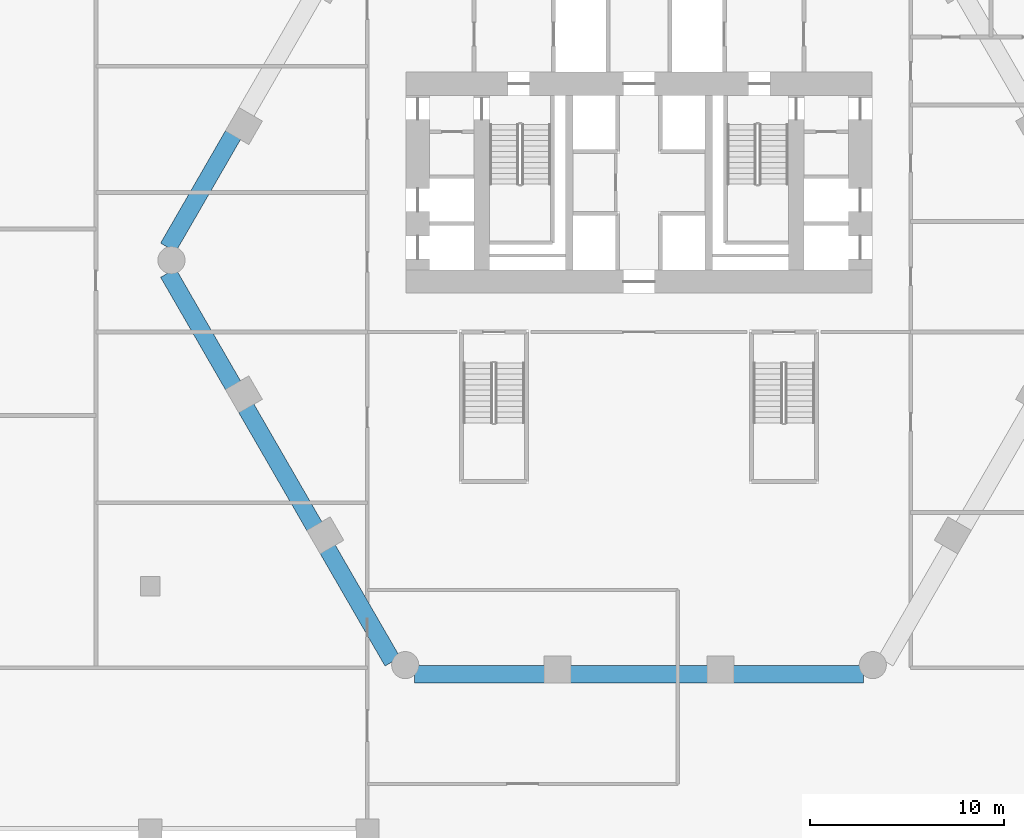
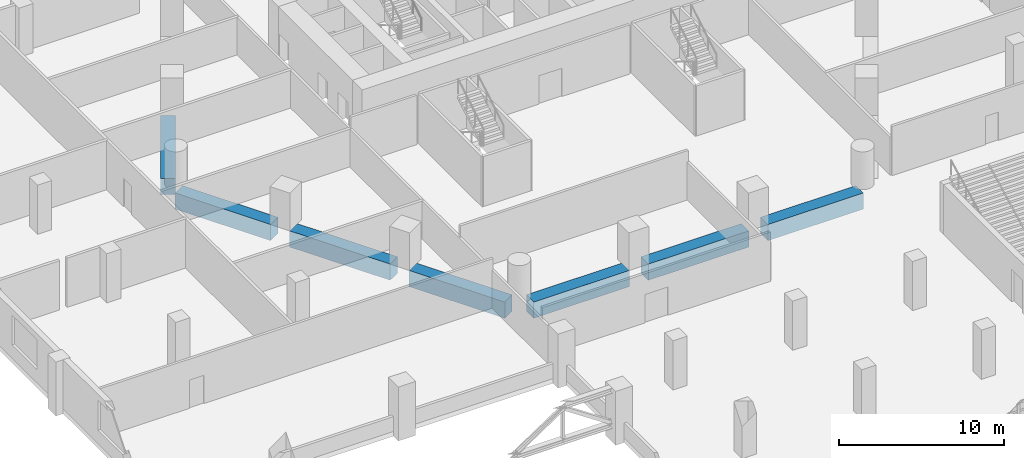
# One storey, part 9 of 24: 7 beams.
"""IFC4 building model written with IfcOpenShell, lengths in metres."""

from ifc_helpers import new_model, si_unit, direction, frame, origin, origin_2d, place, context, subcontext, project, spatial, rectangle, extrude, material, material_profile, profile_set, type_object, element, save


model = new_model("IFC4")

# Units and contexts
model_context = context("Model", 3, precision=1e-05, world=origin(), true_north=direction((0.0, 1.0)))
body_context = subcontext(model_context, "Body", "Model", "MODEL_VIEW")
ifc_project = project(units=[si_unit("LENGTHUNIT", "METRE"), si_unit("AREAUNIT", "SQUARE_METRE"), si_unit("VOLUMEUNIT", "CUBIC_METRE"), si_unit("PLANEANGLEUNIT", "RADIAN"), si_unit("MASSUNIT", "GRAM", prefix="KILO")], contexts=[model_context])

# Site, building, storey
site_placement = place(None, origin())
site = spatial("IfcSite", under=ifc_project, at=site_placement, CompositionType="ELEMENT")
building_placement = place(site_placement, origin())
building = spatial("IfcBuilding", under=site, at=building_placement, Name="Ostrander Bayou Hotel Tower", CompositionType="ELEMENT")
storey_placement = place(building_placement, frame((0.0, 0.0, 6.0)))
storey = spatial("IfcBuildingStorey", under=building, at=storey_placement, Name="L01", CompositionType="ELEMENT", Elevation=6.0)

# Beams
ifc_material = material(Name="Concrete f'c 70 MPa", Category="concrete")
ifc_material_profile = material_profile(ifc_material, rectangle(XDim=0.89990234375, YDim=1.199951171875, at=origin_2d()))
ifc_profile_set = profile_set([ifc_material_profile], Name="Concrete f'c 70 MPa")
beam_type = type_object("IfcBeamType", Name="SP1 spandrel beam 900 x 1200 mm f'c 70 MPa", PredefinedType="SPANDREL", material=ifc_profile_set)
for number, where, z_axis, x_axis, name in (
    (1, (-20.92236328125, 6.46142578125, -0.60009765625), (-0.500005133765, -0.866022439784, 0.0), (0.866022439784, -0.500005133765, 0.0), "SP1 L01 NW-3"),
    (2, (-24.274169921875, -0.656005859375, -0.60009765625), (0.500005133765, -0.866022439784, 0.0), (0.866022439784, 0.500005133765, 0.0), "SP1 L01 SW-1"),
):
    element("IfcBeam", number, at=place(storey_placement, frame(where, z_axis=z_axis, x_axis=x_axis)), inside=storey, type_object=beam_type, Name=name, PredefinedType="SPANDREL", context=body_context, shape_type="SweptSolid", body=[
        extrude(rectangle(XDim=0.89990234375, YDim=1.199951171875, at=origin_2d()), origin(), (0.0, 0.0, 1.0), 6.70361328125),
    ])
beam_1_placement = place(storey_placement, frame((-20.252197265625, -7.621826171875, -0.60009765625), z_axis=(0.499997206141, -0.866027016814, 0.0), x_axis=(0.866027016814, 0.499997206141, 0.0)))
element("IfcBeam", 3, at=beam_1_placement, inside=storey, type_object=beam_type, Name="SP1 L01 SW-2", PredefinedType="SPANDREL", context=body_context, shape_type="SweptSolid", body=[
    extrude(rectangle(XDim=0.89990234375, YDim=1.199951171875, at=origin_2d()), origin(), (0.0, 0.0, 1.0), 7.05078125),
])
for number, where, z_axis, x_axis, name in (
    (4, (-16.056884765625, -14.888671875, -0.60009765625), (0.500005133765, -0.866022439784, 0.0), (0.866022439784, 0.500005133765, 0.0), "SP1 L01 SW-3"),
    (5, (-11.569091796875, -21.35009765625, -0.60009765625), (1.0, 0.0, 0.0), (0.0, 1.0, 0.0), "SP1 L01 S-1"),
):
    element("IfcBeam", number, at=place(storey_placement, frame(where, z_axis=z_axis, x_axis=x_axis)), inside=storey, type_object=beam_type, Name=name, PredefinedType="SPANDREL", context=body_context, shape_type="SweptSolid", body=[
        extrude(rectangle(XDim=0.89990234375, YDim=1.199951171875, at=origin_2d()), origin(), (0.0, 0.0, 1.0), 6.70361328125),
    ])
beam_2_placement = place(storey_placement, frame((-3.525390625, -21.35009765625, -0.60009765625), z_axis=(1.0, 0.0, 0.0), x_axis=(0.0, 1.0, 0.0)))
element("IfcBeam", 6, at=beam_2_placement, inside=storey, type_object=beam_type, Name="SP1 L01 S-2", PredefinedType="SPANDREL", context=body_context, shape_type="SweptSolid", body=[
    extrude(rectangle(XDim=0.89990234375, YDim=1.199951171875, at=origin_2d()), origin(), (0.0, 0.0, 1.0), 7.05078125),
])
beam_3_placement = place(storey_placement, frame((4.865478515625, -21.35009765625, -0.60009765625), z_axis=(1.0, 0.0, 0.0), x_axis=(0.0, 1.0, 0.0)))
element("IfcBeam", 7, at=beam_3_placement, inside=storey, type_object=beam_type, Name="SP1 L01 S-3", PredefinedType="SPANDREL", context=body_context, shape_type="SweptSolid", body=[
    extrude(rectangle(XDim=0.89990234375, YDim=1.199951171875, at=origin_2d()), origin(), (0.0, 0.0, 1.0), 6.70361328125),
])

save(model, "model.ifc")
